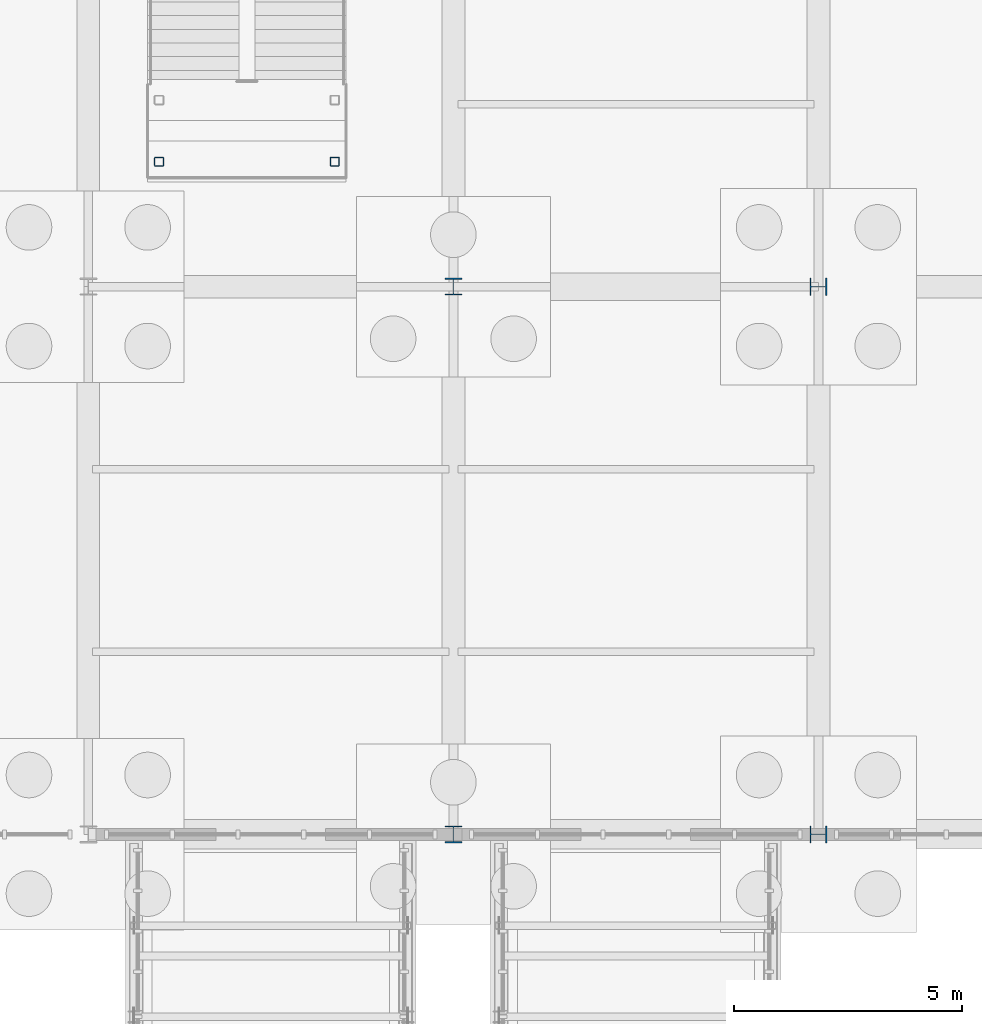
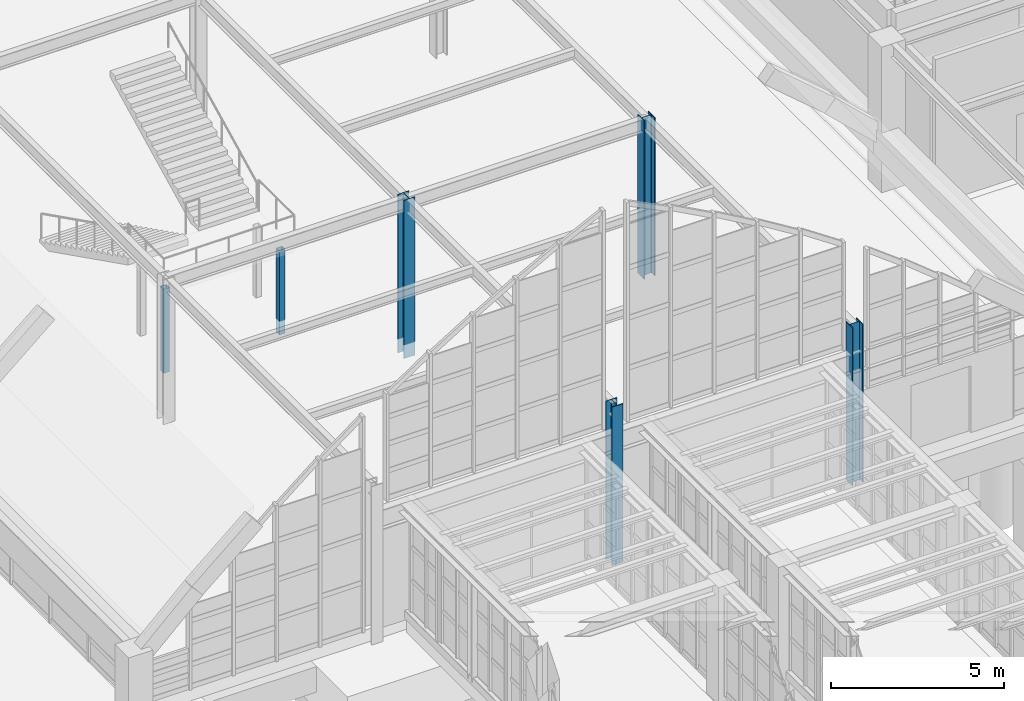
# One storey, part 14 of 129: 6 columns.
"""IFC4 building model written with IfcOpenShell, lengths in metres."""

from ifc_helpers import new_model, si_unit, direction, frame, origin, origin_2d, place, context, subcontext, project, spatial, hollow_rectangle, i_section, extrude, material, material_profile, profile_set, type_object, element, save


model = new_model("IFC4")

# Units and contexts
model_context = context("Model", 3, precision=1e-05, world=origin(), true_north=direction((0.0, 1.0)))
body_context = subcontext(model_context, "Body", "Model", "MODEL_VIEW")
ifc_project = project(units=[si_unit("LENGTHUNIT", "METRE"), si_unit("AREAUNIT", "SQUARE_METRE"), si_unit("VOLUMEUNIT", "CUBIC_METRE"), si_unit("PLANEANGLEUNIT", "RADIAN"), si_unit("MASSUNIT", "GRAM", prefix="KILO")], contexts=[model_context])

# Site, building, storey
site_placement = place(None, origin())
site = spatial("IfcSite", under=ifc_project, at=site_placement, CompositionType="ELEMENT")
building_placement = place(site_placement, origin())
building = spatial("IfcBuilding", under=site, at=building_placement, Name="Sitalva Quay Ferry Terminal", CompositionType="ELEMENT")
storey_placement = place(building_placement, origin())
storey = spatial("IfcBuildingStorey", under=building, at=storey_placement, Name="L01", CompositionType="ELEMENT", Elevation=0.0)

# Columns
ifc_material_1 = material(Name="Structural Steel S355JR", Category="steel")
ifc_material_profile_1 = material_profile(ifc_material_1, hollow_rectangle(XDim=0.199951171875, YDim=0.199951171875, WallThickness=0.010009765625, InnerFilletRadius=0.010009765625, OuterFilletRadius=0.02001953125, at=origin_2d()), Name="SHS200x200x10")
ifc_profile_set_1 = profile_set([ifc_material_profile_1], Name="Structural Steel S355JR")
column_type_1 = type_object("IfcColumnType", Name="Col_SHS200x10", PredefinedType="COLUMN", material=ifc_profile_set_1)
for number, where, z_axis, x_axis, name in (
    (1, (51.550048828125, 20.739990234375, -0.449951171875), (0.0, 0.0, 1.0), (1.0, 0.0, 0.0), "Feature stair ST-11 landing support A"),
    (2, (55.39990234375, 20.739990234375, -0.449951171875), (0.0, 0.0, 1.0), (1.0, 0.0, 0.0), "Feature stair ST-11 landing support B"),
):
    element("IfcColumn", number, at=place(storey_placement, frame(where, z_axis=z_axis, x_axis=x_axis)), inside=storey, type_object=column_type_1, Name=name, PredefinedType="COLUMN", context=body_context, shape_type="SweptSolid", body=[
        extrude(hollow_rectangle(XDim=0.199951171875, YDim=0.199951171875, WallThickness=0.010009765625, InnerFilletRadius=0.010009765625, OuterFilletRadius=0.02001953125, at=origin_2d()), origin(), (0.0, 0.0, 1.0), 2.949951171875),
    ])
ifc_material_2 = material(Name="Structural Steel S355JR", Category="steel")
ifc_material_profile_2 = material_profile(ifc_material_2, i_section(OverallWidth=0.3740234375, OverallDepth=0.3720703125, WebThickness=0.016357421875, FlangeThickness=0.026123046875, FilletRadius=0.01611328125, at=origin_2d()), Name="W360x196")
ifc_profile_set_2 = profile_set([ifc_material_profile_2], Name="Structural Steel S355JR")
column_type_2 = type_object("IfcColumnType", Name="Col_W360x196", PredefinedType="COLUMN", material=ifc_profile_set_2)
for number, where, z_axis, x_axis, name in (
    (3, (58.0, 6.0, -0.449951171875), (0.0, 0.0, 1.0), (1.0, 0.0, 0.0), "L01 column 8C"),
    (4, (66.0, 6.0, -0.449951171875), (0.0, 0.0, 1.0), (0.0, 1.0, 0.0), "L01 column 9C"),
    (5, (58.0, 18.0, -0.449951171875), (0.0, 0.0, 1.0), (1.0, 0.0, 0.0), "L01 column 8D"),
    (6, (66.0, 18.0, -0.449951171875), (0.0, 0.0, 1.0), (0.0, 1.0, 0.0), "L01 column 9D"),
):
    element("IfcColumn", number, at=place(storey_placement, frame(where, z_axis=z_axis, x_axis=x_axis)), inside=storey, type_object=column_type_2, Name=name, PredefinedType="COLUMN", context=body_context, shape_type="SweptSolid", body=[
        extrude(i_section(OverallWidth=0.3740234375, OverallDepth=0.3720703125, WebThickness=0.016357421875, FlangeThickness=0.026123046875, FilletRadius=0.01611328125, at=origin_2d()), origin(), (0.0, 0.0, 1.0), 5.570068359375),
    ])

save(model, "model.ifc")
